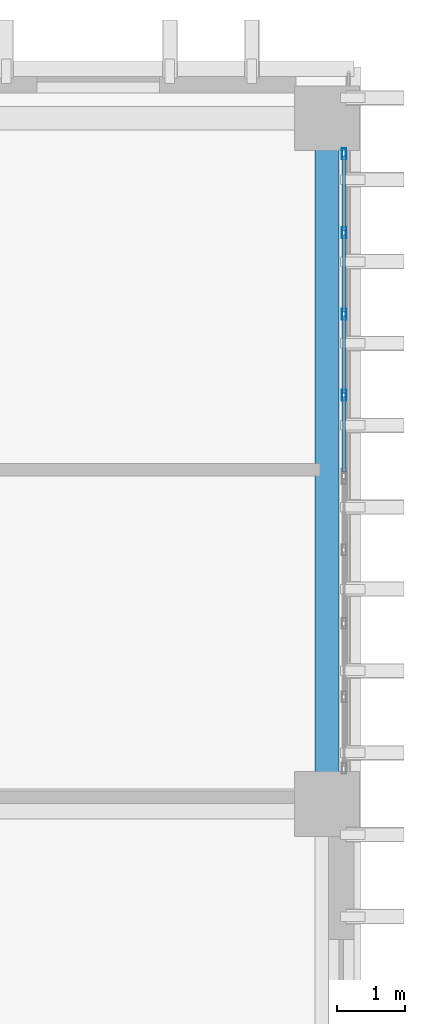
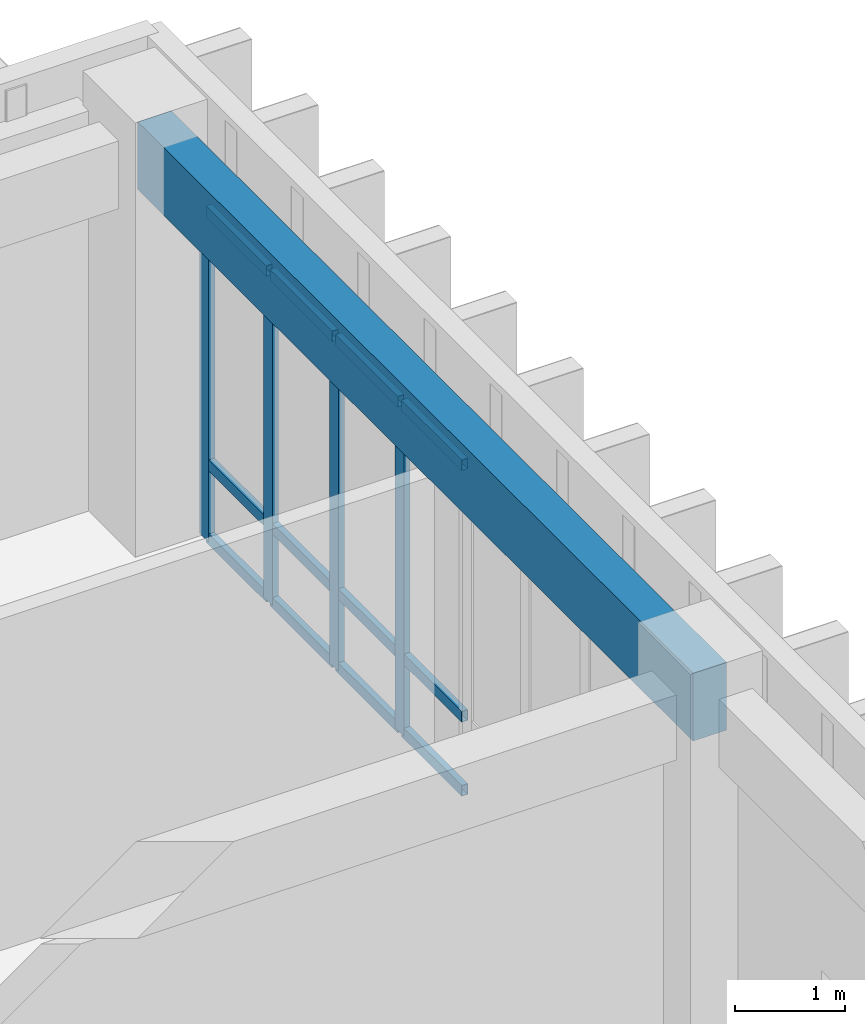
# One storey, part 84 of 133: 16 members, 1 beam, 1 element without a shape of its own.
"""IFC4 building model written with IfcOpenShell, lengths in metres."""

from ifc_helpers import new_model, si_unit, direction, frame, origin, origin_2d, place, context, subcontext, project, spatial, rectangle, hollow_rectangle, extrude, material, layer, layer_set, material_profile, profile_set, type_object, element, aggregate, save


model = new_model("IFC4")

# Units and contexts
model_context = context("Model", 3, precision=1e-05, world=origin(), true_north=direction((0.0, 1.0)))
body_context = subcontext(model_context, "Body", "Model", "MODEL_VIEW")
ifc_project = project(units=[si_unit("LENGTHUNIT", "METRE"), si_unit("AREAUNIT", "SQUARE_METRE"), si_unit("VOLUMEUNIT", "CUBIC_METRE"), si_unit("PLANEANGLEUNIT", "RADIAN"), si_unit("MASSUNIT", "GRAM", prefix="KILO")], contexts=[model_context])

# Site, building, storey
site_placement = place(None, origin())
site = spatial("IfcSite", under=ifc_project, at=site_placement, CompositionType="ELEMENT")
building_placement = place(site_placement, origin())
building = spatial("IfcBuilding", under=site, at=building_placement, Name="Nakhvara Creek Congress Hotel", CompositionType="ELEMENT")
storey_placement = place(building_placement, frame((0.0, 0.0, 11.39990234375)))
storey = spatial("IfcBuildingStorey", under=building, at=storey_placement, Name="L02", CompositionType="ELEMENT", Elevation=11.39990234375)

# Beam
ifc_material_1 = material(Name="Concrete C40/50", Category="concrete")
ifc_material_profile_1 = material_profile(ifc_material_1, rectangle(XDim=0.35009765625, YDim=0.75, at=origin_2d()), Name="RC-SPANDREL 350x750", Category="LoadBearing")
ifc_profile_set_1 = profile_set([ifc_material_profile_1], Name="Concrete C40/50")
beam_type = type_object("IfcBeamType", Name="BM-SPN-350X750", PredefinedType="SPANDREL", material=ifc_profile_set_1)
beam_placement = place(storey_placement, frame((179.35009765625, 115.199951171875, 4.045166015625), z_axis=(0.0, 1.0, 0.0), x_axis=(-1.0, 0.0, 0.0)))
element("IfcBeam", 1, at=beam_placement, inside=storey, type_object=beam_type, Name="Beam SP1-L02-1663", PredefinedType="SPANDREL", context=body_context, shape_type="SweptSolid", body=[
    extrude(rectangle(XDim=0.35009765625, YDim=0.75, at=origin_2d()), origin(), (0.0, 0.0, 1.0), 10.050048828125),
])

# Curtain wall, members
ifc_material_2 = material(Name="Bronze-anodised aluminium AW-6063-T6 and double-silver low-E glass", Category="aluminium")
ifc_layer = layer(ifc_material_2, 0.199951171875)
ifc_layer_set = layer_set([ifc_layer], Name="Bronze-anodised aluminium AW-6063-T6 and double-silver low-E glass")
curtain_wall_type = type_object("IfcCurtainWallType", Name="CW-HTL-UNIT", PredefinedType="USERDEFINED", material=ifc_layer_set)
curtain_wall_placement = place(storey_placement, origin())
curtain_wall = element("IfcCurtainWall", 2, at=curtain_wall_placement, inside=storey, type_object=curtain_wall_type, Name="Curtain Wall CW149", ObjectType="UNITISED", PredefinedType="USERDEFINED")
ifc_material_3 = material(Name="Bronze-anodised aluminium AW-6063-T6", Category="aluminium")
ifc_material_profile_2 = material_profile(ifc_material_3, hollow_rectangle(XDim=0.06494140625, YDim=0.159912109375, WallThickness=0.00390625, at=origin_2d()), Name="ALU-MULL 65x160x4", Category="LoadBearing")
ifc_profile_set_2 = profile_set([ifc_material_profile_2], Name="Bronze-anodised aluminium AW-6063-T6")
member_type_1 = type_object("IfcMemberType", Name="CW-MULL-160", PredefinedType="MULLION", material=ifc_profile_set_2)
member_1_placement = place(storey_placement, frame((179.60009765625, 124.7275390625, 0.0), z_axis=(0.0, 0.0, 1.0), x_axis=(1.0, 0.0, 0.0)))
member_1 = element("IfcMember", 3, at=member_1_placement, type_object=member_type_1, Name="CW149 mullion 1", PredefinedType="MULLION", context=body_context, shape_type="SweptSolid", body=[
    extrude(hollow_rectangle(XDim=0.06494140625, YDim=0.159912109375, WallThickness=0.00390625, at=origin_2d()), origin(), (0.0, 0.0, 1.0), 3.662109375),
])
member_2_placement = place(storey_placement, frame((179.60009765625, 123.570068359375, 0.0), z_axis=(0.0, 0.0, 1.0), x_axis=(1.0, 0.0, 0.0)))
member_2 = element("IfcMember", 4, at=member_2_placement, type_object=member_type_1, Name="CW149 mullion 2", PredefinedType="MULLION", context=body_context, shape_type="SweptSolid", body=[
    extrude(hollow_rectangle(XDim=0.06494140625, YDim=0.159912109375, WallThickness=0.00390625, at=origin_2d()), origin(), (0.0, 0.0, 1.0), 3.662109375),
])
member_3_placement = place(storey_placement, frame((179.60009765625, 122.3798828125, 0.0), z_axis=(0.0, 0.0, 1.0), x_axis=(1.0, 0.0, 0.0)))
member_3 = element("IfcMember", 5, at=member_3_placement, type_object=member_type_1, Name="CW149 mullion 3", PredefinedType="MULLION", context=body_context, shape_type="SweptSolid", body=[
    extrude(hollow_rectangle(XDim=0.06494140625, YDim=0.159912109375, WallThickness=0.00390625, at=origin_2d()), origin(), (0.0, 0.0, 1.0), 3.662109375),
])
member_4_placement = place(storey_placement, frame((179.60009765625, 121.18994140625, 0.0), z_axis=(0.0, 0.0, 1.0), x_axis=(1.0, 0.0, 0.0)))
member_4 = element("IfcMember", 6, at=member_4_placement, type_object=member_type_1, Name="CW149 mullion 4", PredefinedType="MULLION", context=body_context, shape_type="SweptSolid", body=[
    extrude(hollow_rectangle(XDim=0.06494140625, YDim=0.159912109375, WallThickness=0.00390625, at=origin_2d()), origin(), (0.0, 0.0, 1.0), 3.662109375),
])
ifc_material_profile_3 = material_profile(ifc_material_3, hollow_rectangle(XDim=0.06494140625, YDim=0.1201171875, WallThickness=0.00390625, at=origin_2d()), Name="ALU-TRAN 65x120x4", Category="LoadBearing")
ifc_profile_set_3 = profile_set([ifc_material_profile_3], Name="Bronze-anodised aluminium AW-6063-T6")
member_type_2 = type_object("IfcMemberType", Name="CW-TRAN-120", PredefinedType="USERDEFINED", material=ifc_profile_set_3)
member_5_placement = place(storey_placement, frame((179.60009765625, 124.695068359375, 0.03271484375), z_axis=(0.0, -1.0, 0.0), x_axis=(1.0, 0.0, 0.0)))
member_5 = element("IfcMember", 7, at=member_5_placement, type_object=member_type_2, Name="CW149 transom 1.1", ObjectType="TRANSOM", PredefinedType="USERDEFINED", context=body_context, shape_type="SweptSolid", body=[
    extrude(hollow_rectangle(XDim=0.06494140625, YDim=0.1201171875, WallThickness=0.00390625, at=origin_2d()), origin(), (0.0, 0.0, 1.0), 1.092529296875),
])
member_6_placement = place(storey_placement, frame((179.60009765625, 124.695068359375, 0.85009765625), z_axis=(0.0, -1.0, 0.0), x_axis=(1.0, 0.0, 0.0)))
member_6 = element("IfcMember", 8, at=member_6_placement, type_object=member_type_2, Name="CW149 transom 1.2", ObjectType="TRANSOM", PredefinedType="USERDEFINED", context=body_context, shape_type="SweptSolid", body=[
    extrude(hollow_rectangle(XDim=0.06494140625, YDim=0.1201171875, WallThickness=0.00390625, at=origin_2d()), origin(), (0.0, 0.0, 1.0), 1.092529296875),
])
member_7_placement = place(storey_placement, frame((179.60009765625, 124.695068359375, 3.629638671875), z_axis=(0.0, -1.0, 0.0), x_axis=(1.0, 0.0, 0.0)))
member_7 = element("IfcMember", 9, at=member_7_placement, type_object=member_type_2, Name="CW149 transom 1.3", ObjectType="TRANSOM", PredefinedType="USERDEFINED", context=body_context, shape_type="SweptSolid", body=[
    extrude(hollow_rectangle(XDim=0.06494140625, YDim=0.1201171875, WallThickness=0.00390625, at=origin_2d()), origin(), (0.0, 0.0, 1.0), 1.092529296875),
])
member_8_placement = place(storey_placement, frame((179.60009765625, 123.53759765625, 0.03271484375), z_axis=(0.0, -1.0, 0.0), x_axis=(1.0, 0.0, 0.0)))
member_8 = element("IfcMember", 10, at=member_8_placement, type_object=member_type_2, Name="CW149 transom 2.1", ObjectType="TRANSOM", PredefinedType="USERDEFINED", context=body_context, shape_type="SweptSolid", body=[
    extrude(hollow_rectangle(XDim=0.06494140625, YDim=0.1201171875, WallThickness=0.00390625, at=origin_2d()), origin(), (0.0, 0.0, 1.0), 1.125),
])
member_9_placement = place(storey_placement, frame((179.60009765625, 123.53759765625, 0.85009765625), z_axis=(0.0, -1.0, 0.0), x_axis=(1.0, 0.0, 0.0)))
member_9 = element("IfcMember", 11, at=member_9_placement, type_object=member_type_2, Name="CW149 transom 2.2", ObjectType="TRANSOM", PredefinedType="USERDEFINED", context=body_context, shape_type="SweptSolid", body=[
    extrude(hollow_rectangle(XDim=0.06494140625, YDim=0.1201171875, WallThickness=0.00390625, at=origin_2d()), origin(), (0.0, 0.0, 1.0), 1.125),
])
member_10_placement = place(storey_placement, frame((179.60009765625, 123.53759765625, 3.629638671875), z_axis=(0.0, -1.0, 0.0), x_axis=(1.0, 0.0, 0.0)))
member_10 = element("IfcMember", 12, at=member_10_placement, type_object=member_type_2, Name="CW149 transom 2.3", ObjectType="TRANSOM", PredefinedType="USERDEFINED", context=body_context, shape_type="SweptSolid", body=[
    extrude(hollow_rectangle(XDim=0.06494140625, YDim=0.1201171875, WallThickness=0.00390625, at=origin_2d()), origin(), (0.0, 0.0, 1.0), 1.125),
])
member_11_placement = place(storey_placement, frame((179.60009765625, 122.347412109375, 0.03271484375), z_axis=(0.0, -1.0, 0.0), x_axis=(1.0, 0.0, 0.0)))
member_11 = element("IfcMember", 13, at=member_11_placement, type_object=member_type_2, Name="CW149 transom 3.1", ObjectType="TRANSOM", PredefinedType="USERDEFINED", context=body_context, shape_type="SweptSolid", body=[
    extrude(hollow_rectangle(XDim=0.06494140625, YDim=0.1201171875, WallThickness=0.00390625, at=origin_2d()), origin(), (0.0, 0.0, 1.0), 1.125),
])
member_12_placement = place(storey_placement, frame((179.60009765625, 122.347412109375, 0.85009765625), z_axis=(0.0, -1.0, 0.0), x_axis=(1.0, 0.0, 0.0)))
member_12 = element("IfcMember", 14, at=member_12_placement, type_object=member_type_2, Name="CW149 transom 3.2", ObjectType="TRANSOM", PredefinedType="USERDEFINED", context=body_context, shape_type="SweptSolid", body=[
    extrude(hollow_rectangle(XDim=0.06494140625, YDim=0.1201171875, WallThickness=0.00390625, at=origin_2d()), origin(), (0.0, 0.0, 1.0), 1.125),
])
member_13_placement = place(storey_placement, frame((179.60009765625, 122.347412109375, 3.629638671875), z_axis=(0.0, -1.0, 0.0), x_axis=(1.0, 0.0, 0.0)))
member_13 = element("IfcMember", 15, at=member_13_placement, type_object=member_type_2, Name="CW149 transom 3.3", ObjectType="TRANSOM", PredefinedType="USERDEFINED", context=body_context, shape_type="SweptSolid", body=[
    extrude(hollow_rectangle(XDim=0.06494140625, YDim=0.1201171875, WallThickness=0.00390625, at=origin_2d()), origin(), (0.0, 0.0, 1.0), 1.125),
])
member_14_placement = place(storey_placement, frame((179.60009765625, 121.157470703125, 0.03271484375), z_axis=(0.0, -1.0, 0.0), x_axis=(1.0, 0.0, 0.0)))
member_14 = element("IfcMember", 16, at=member_14_placement, type_object=member_type_2, Name="CW149 transom 4.1", ObjectType="TRANSOM", PredefinedType="USERDEFINED", context=body_context, shape_type="SweptSolid", body=[
    extrude(hollow_rectangle(XDim=0.06494140625, YDim=0.1201171875, WallThickness=0.00390625, at=origin_2d()), origin(), (0.0, 0.0, 1.0), 1.092529296875),
])
member_15_placement = place(storey_placement, frame((179.60009765625, 121.157470703125, 0.85009765625), z_axis=(0.0, -1.0, 0.0), x_axis=(1.0, 0.0, 0.0)))
member_15 = element("IfcMember", 17, at=member_15_placement, type_object=member_type_2, Name="CW149 transom 4.2", ObjectType="TRANSOM", PredefinedType="USERDEFINED", context=body_context, shape_type="SweptSolid", body=[
    extrude(hollow_rectangle(XDim=0.06494140625, YDim=0.1201171875, WallThickness=0.00390625, at=origin_2d()), origin(), (0.0, 0.0, 1.0), 1.092529296875),
])
member_16_placement = place(storey_placement, frame((179.60009765625, 121.157470703125, 3.629638671875), z_axis=(0.0, -1.0, 0.0), x_axis=(1.0, 0.0, 0.0)))
member_16 = element("IfcMember", 18, at=member_16_placement, type_object=member_type_2, Name="CW149 transom 4.3", ObjectType="TRANSOM", PredefinedType="USERDEFINED", context=body_context, shape_type="SweptSolid", body=[
    extrude(hollow_rectangle(XDim=0.06494140625, YDim=0.1201171875, WallThickness=0.00390625, at=origin_2d()), origin(), (0.0, 0.0, 1.0), 1.092529296875),
])
aggregate(curtain_wall, [member_1, member_2, member_3, member_4, member_5, member_6, member_7, member_8, member_9, member_10, member_11, member_12, member_13, member_14, member_15, member_16])

save(model, "model.ifc")
